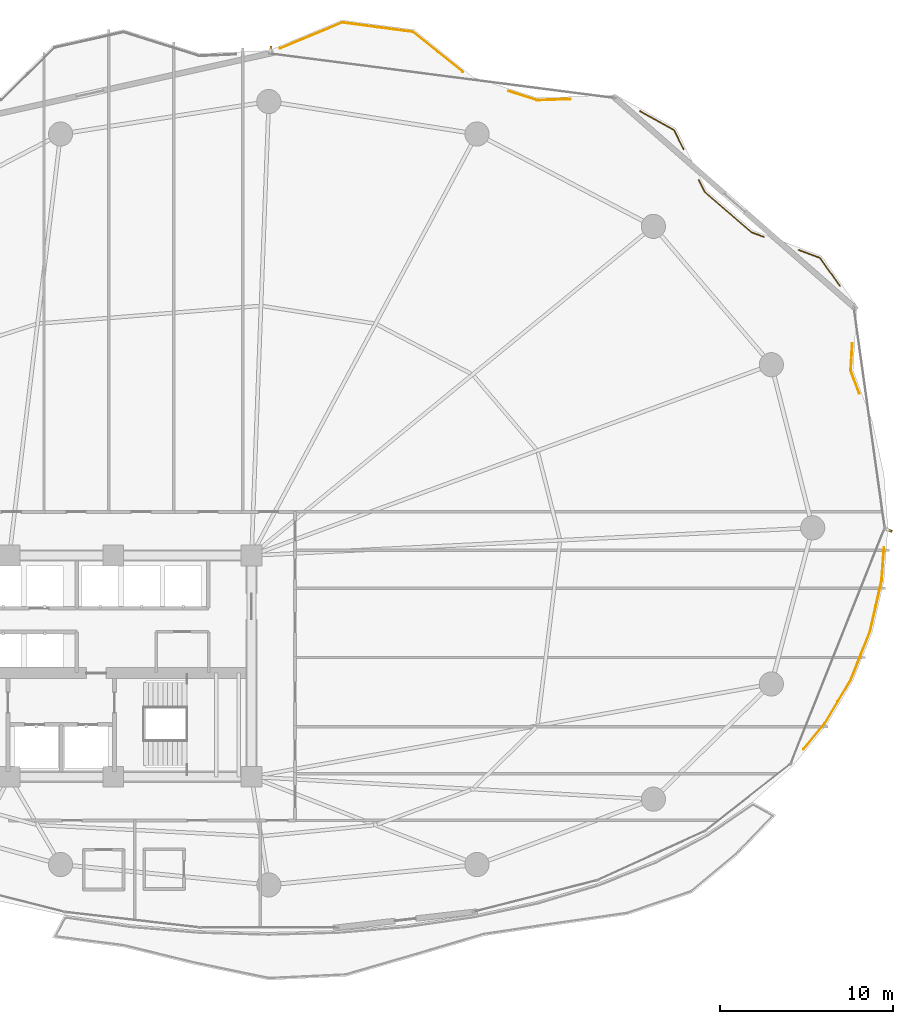
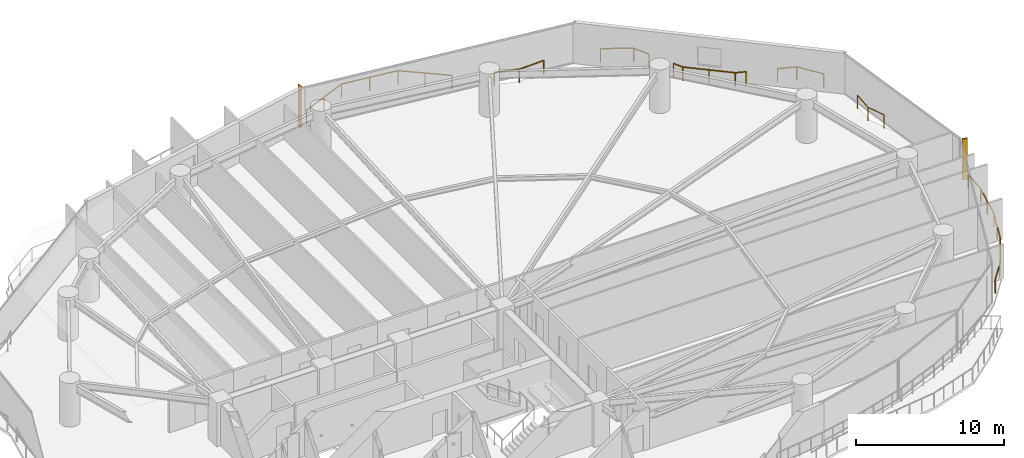
# One storey, part 32 of 32: 7 railings, 2 shading devices.
"""IFC4 building model written with IfcOpenShell, lengths in metres."""

import ifcopenshell
import ifcopenshell.guid

model = None  # the IFC model being written
_history = None  # IfcOwnerHistory: only IFC2X3 demands one
_inside = {}  # id of a spatial element -> (the spatial element, [elements in it])
_under = {}  # id of a project, library or spatial element -> (it, [spatial elements below it])
_declared = {}  # id of a project -> (the project, [libraries it declares])
_typed = {}  # id of a type object -> (the type object, [elements of that type])
_made_of = {}  # id of a material, layer set ... -> (it, [elements and type objects made of it])


def new_model(schema):
    """Start an empty IFC model of exactly this schema.

    Asked for "IFC4X3", IfcOpenShell would pick the latest addendum, in which some entities
    have other attributes; the version numbers below select the first issue.
    IFC2X3 requires an IfcOwnerHistory on every rooted entity: one is made here for all.
    """
    global model, _history
    if schema == "IFC4X3":
        model = ifcopenshell.file(schema_version=(4, 3, 0, 0))
    else:
        model = ifcopenshell.file(schema=schema)
    _inside.clear()
    _under.clear()
    _declared.clear()
    _typed.clear()
    _made_of.clear()
    _history = None
    if model.schema == "IFC2X3":
        org = make("IfcOrganization", Name="unknown")
        user = make(
            "IfcPersonAndOrganization",
            ThePerson=make("IfcPerson", FamilyName="unknown"),
            TheOrganization=org,
        )
        app = make(
            "IfcApplication",
            ApplicationDeveloper=org,
            Version="unknown",
            ApplicationFullName="unknown",
            ApplicationIdentifier="unknown",
        )
        _history = make(
            "IfcOwnerHistory",
            OwningUser=user,
            OwningApplication=app,
            ChangeAction="ADDED",
            CreationDate=0,
        )
    return model


def make(cls, **values):
    """One entity of the class cls with the attributes given. An attribute that is None is left unset."""
    return model.create_entity(
        cls, **{name: value for name, value in values.items() if value is not None}
    )


def rooted(cls, **values):
    """An entity with a GlobalId (a new one), such as an element, a storey or a relation."""
    return make(cls, GlobalId=ifcopenshell.guid.new(), OwnerHistory=_history, **values)


def si_unit(unit_type, name, prefix=None):
    """IfcSIUnit, for example si_unit("LENGTHUNIT", "METRE", prefix="MILLI")."""
    return make("IfcSIUnit", UnitType=unit_type, Prefix=prefix, Name=name)


def assignment(units):
    """IfcUnitAssignment: the units of a project."""
    return None if units is None else make("IfcUnitAssignment", Units=units)


def point(xyz):
    """IfcCartesianPoint."""
    return None if xyz is None else make("IfcCartesianPoint", Coordinates=xyz)


def direction(xyz):
    """IfcDirection."""
    return None if xyz is None else make("IfcDirection", DirectionRatios=xyz)


def frame(location, z_axis=None, x_axis=None):
    """IfcAxis2Placement3D, a coordinate frame: its origin and axes. An axis left out is left unset."""
    return make(
        "IfcAxis2Placement3D",
        Location=point(location),
        Axis=direction(z_axis),
        RefDirection=direction(x_axis),
    )


def frame_2d(location, x_axis=None):
    """IfcAxis2Placement2D, a coordinate frame in the plane: its origin and x axis."""
    return make(
        "IfcAxis2Placement2D", Location=point(location), RefDirection=direction(x_axis)
    )


def origin():
    """The frame at (0, 0, 0) with its axes left unset."""
    return frame((0.0, 0.0, 0.0))


def origin_2d():
    """The frame at (0, 0) in the plane with its x axis left unset."""
    return frame_2d((0.0, 0.0))


def place(relative_to, where):
    """IfcLocalPlacement: puts the frame where relative to a parent placement (None: the world)."""
    return make(
        "IfcLocalPlacement", PlacementRelTo=relative_to, RelativePlacement=where
    )


def context(
    kind, dimensions, precision=None, world=None, true_north=None, identifier=None
):
    """IfcGeometricRepresentationContext, for example the 3D "Model" context."""
    return make(
        "IfcGeometricRepresentationContext",
        ContextIdentifier=identifier,
        ContextType=kind,
        CoordinateSpaceDimension=dimensions,
        Precision=precision,
        WorldCoordinateSystem=world,
        TrueNorth=true_north,
    )


def subcontext(parent, identifier, kind, view, scale=None):
    """IfcGeometricRepresentationSubContext, for example "Body" below "Model"."""
    return make(
        "IfcGeometricRepresentationSubContext",
        ContextIdentifier=identifier,
        ContextType=kind,
        ParentContext=parent,
        TargetScale=scale,
        TargetView=view,
    )


def project(units=None, contexts=None):
    """IfcProject with its units and contexts."""
    return rooted(
        "IfcProject",
        Name="project",
        RepresentationContexts=contexts,
        UnitsInContext=assignment(units),
    )


def spatial(cls, under=None, at=None, **own):
    """A site, building, storey or space (cls), placed at a placement, below another one or the project."""
    s = rooted(cls, ObjectPlacement=at, **own)
    if under is not None:
        _under.setdefault(under.id(), (under, []))[1].append(s)
    return s


def profile(cls, at=None, kind="AREA", **sizes):
    """A parametric profile (cls). Its sizes go by their IFC names, for example OverallWidth=200.0."""
    return make(cls, ProfileType=kind, Position=at, **sizes)


def rectangle(**sizes):
    """IfcRectangleProfileDef."""
    return profile("IfcRectangleProfileDef", **sizes)


def extrude(swept, where, along, depth):
    """IfcExtrudedAreaSolid: the profile swept, set in the frame where, extruded along a direction by depth."""
    return make(
        "IfcExtrudedAreaSolid",
        SweptArea=swept,
        Position=where,
        ExtrudedDirection=direction(along),
        Depth=depth,
    )


def shape(context_of_items, identifier, shape_type, items):
    """IfcShapeRepresentation: the items that make up one representation, for example the "Body"."""
    return make(
        "IfcShapeRepresentation",
        ContextOfItems=context_of_items,
        RepresentationIdentifier=identifier,
        RepresentationType=shape_type,
        Items=items,
    )


def material(Name=None, Category=None):
    """IfcMaterial."""
    return make("IfcMaterial", Name=Name, Category=Category)


def made_of(thing, what):
    """Note that an element or type object is made of a material, layer set ...; save() writes the relation."""
    if what is not None:
        _made_of.setdefault(what.id(), (what, []))[1].append(thing)
    return thing


def type_object(cls, material=None, **own):
    """A type object (cls), such as IfcWallType, which elements share."""
    return made_of(rooted(cls, **own), material)


def element(
    cls,
    number,
    at=None,
    inside=None,
    cuts=None,
    type_object=None,
    material=None,
    context=None,
    identifier="Body",
    shape_type=None,
    held_by="IfcProductDefinitionShape",
    body=None,
    shapes=None,
    **own,
):
    """One element of the class cls, such as IfcWall. Its Tag is "e" and its number.

    at: its placement. inside: the storey or other place that contains it. cuts: it is an
    opening in that element (IfcRelVoidsElement). A single representation is given by context,
    identifier, shape_type and body (its items); several are given by shapes. held_by: the class
    of the entity that holds the representations. save() writes the other relations.
    """
    e = rooted(cls, Tag="e%d" % number, ObjectPlacement=at, **own)
    if body is not None:
        shapes = [shape(context, identifier, shape_type, body)]
    if shapes is not None:
        e.Representation = make(held_by, Representations=shapes)
    if inside is not None:
        _inside.setdefault(inside.id(), (inside, []))[1].append(e)
    if cuts is not None:
        rooted(
            "IfcRelVoidsElement", RelatingBuildingElement=cuts, RelatedOpeningElement=e
        )
    if type_object is not None:
        _typed.setdefault(type_object.id(), (type_object, []))[1].append(e)
    return made_of(e, material)


def aggregate(whole, parts):
    """IfcRelAggregates: a whole, such as a stair, and the parts it consists of."""
    return rooted("IfcRelAggregates", RelatingObject=whole, RelatedObjects=parts)


def save(model, path):
    """Write the relations noted so far, then the file.

    IfcRelAggregates (storeys below a building ...), IfcRelContainedInSpatialStructure (elements
    in a storey), IfcRelDefinesByType, IfcRelAssociatesMaterial and IfcRelDeclares: one each for
    every whole, place, type object, material and project.
    """
    for whole, parts in _under.values():
        aggregate(whole, parts)
    for where, things in _inside.values():
        rooted(
            "IfcRelContainedInSpatialStructure",
            RelatedElements=things,
            RelatingStructure=where,
        )
    for kind, things in _typed.values():
        rooted("IfcRelDefinesByType", RelatedObjects=things, RelatingType=kind)
    for what, things in _made_of.values():
        rooted("IfcRelAssociatesMaterial", RelatedObjects=things, RelatingMaterial=what)
    for by, libraries in _declared.values():
        rooted("IfcRelDeclares", RelatingContext=by, RelatedDefinitions=libraries)
    model.write(path)


model = new_model("IFC4")

# Units and contexts
model_context = context("Model", 3, precision=1e-05, world=origin(), true_north=direction((0.0, 1.0)))
body_context = subcontext(model_context, "Body", "Model", "MODEL_VIEW")
ifc_project = project(units=[si_unit("LENGTHUNIT", "METRE"), si_unit("AREAUNIT", "SQUARE_METRE"), si_unit("VOLUMEUNIT", "CUBIC_METRE"), si_unit("PLANEANGLEUNIT", "RADIAN"), si_unit("MASSUNIT", "GRAM", prefix="KILO")], contexts=[model_context])

# Site, building, storey
site_placement = place(None, origin())
site = spatial("IfcSite", under=ifc_project, at=site_placement, CompositionType="ELEMENT")
building_placement = place(site_placement, origin())
building = spatial("IfcBuilding", under=site, at=building_placement, Name="Kazevale Care Tower and Concert Hall", CompositionType="ELEMENT")
storey_placement = place(building_placement, frame((0.0, 0.0, 34.800048828125)))
storey = spatial("IfcBuildingStorey", under=building, at=storey_placement, Name="L08", CompositionType="ELEMENT", Elevation=34.800048828125)

# Railings
ifc_material_1 = material(Name="Anodised Bronze Aluminium and Laminated Glass", Category="aluminium")
railing_type = type_object("IfcRailingType", Name="Balcony and Terrace Balustrade 1120", PredefinedType="BALUSTRADE", material=ifc_material_1)
railing_1_placement = place(storey_placement, frame((45.662109375, 65.72509765625, 0.0)))
element("IfcRailing", 1, at=railing_1_placement, inside=storey, type_object=railing_type, Name="rail:L08:perim:6", PredefinedType="BALUSTRADE", context=body_context, shape_type="SweptSolid", body=[
    extrude(rectangle(XDim=0.048095703125, YDim=0.048095703125, at=origin_2d()), frame((0.0, 0.0, 1.09619140625), z_axis=(0.922935495633, 0.384954634861, 0.0), x_axis=(-0.384954634861, 0.922935495633, 0.0)), (0.0, 0.0, 1.0), 3.88330078125),
    extrude(rectangle(XDim=0.048095703125, YDim=0.048095703125, at=origin_2d()), frame((3.583984375, 1.494873046875, 1.09619140625), z_axis=(0.991270154013, -0.131846432499, 0.0), x_axis=(0.131846432499, 0.991270154013, 0.0)), (0.0, 0.0, 1.0), 4.133056640625),
    extrude(rectangle(XDim=0.048095703125, YDim=0.048095703125, at=origin_2d()), frame((7.680908203125, 0.949951171875, 1.09619140625), z_axis=(0.778836557987, -0.627226925397, 0.0), x_axis=(0.627226925397, 0.778836557987, 0.0)), (0.0, 0.0, 1.0), 3.687744140625),
    extrude(rectangle(XDim=0.0419921875, YDim=0.0419921875, at=origin_2d()), origin(), (0.0, 0.0, 1.0), 1.072021484375),
    extrude(rectangle(XDim=0.0419921875, YDim=0.0419921875, at=origin_2d()), frame((1.7919921875, 0.74755859375, 0.0)), (0.0, 0.0, 1.0), 1.072021484375),
    extrude(rectangle(XDim=0.0419921875, YDim=0.0419921875, at=origin_2d()), frame((3.583984375, 1.494873046875, 0.0)), (0.0, 0.0, 1.0), 1.072021484375),
    extrude(rectangle(XDim=0.0419921875, YDim=0.0419921875, at=origin_2d()), frame((5.63232421875, 1.222412109375, 0.0)), (0.0, 0.0, 1.0), 1.072021484375),
    extrude(rectangle(XDim=0.0419921875, YDim=0.0419921875, at=origin_2d()), frame((7.680908203125, 0.949951171875, 0.0)), (0.0, 0.0, 1.0), 1.072021484375),
    extrude(rectangle(XDim=0.0419921875, YDim=0.0419921875, at=origin_2d()), frame((9.116943359375, -0.20654296875, 0.0)), (0.0, 0.0, 1.0), 1.072021484375),
    extrude(rectangle(XDim=0.0419921875, YDim=0.0419921875, at=origin_2d()), frame((10.552978515625, -1.363037109375, 0.0)), (0.0, 0.0, 1.0), 1.072021484375),
])
railing_2_placement = place(storey_placement, frame((58.860107421875, 63.25390625, 0.0)))
element("IfcRailing", 2, at=railing_2_placement, inside=storey, type_object=railing_type, Name="rail:L08:perim:7", PredefinedType="BALUSTRADE", context=body_context, shape_type="SweptSolid", body=[
    extrude(rectangle(XDim=0.048095703125, YDim=0.048095703125, at=origin_2d()), frame((0.0, 0.0, 1.09619140625), z_axis=(0.952655744415, -0.304051036231, 0.0), x_axis=(0.304051036231, 0.952655744415, 0.0)), (0.0, 0.0, 1.0), 1.736083984375),
    extrude(rectangle(XDim=0.048095703125, YDim=0.048095703125, at=origin_2d()), frame((1.65380859375, -0.52783203125, 1.09619140625), z_axis=(0.999433903687, 0.033643307818, 0.0), x_axis=(-0.033643307818, 0.999433903687, 0.0)), (0.0, 0.0, 1.0), 1.93017578125),
    extrude(rectangle(XDim=0.0419921875, YDim=0.0419921875, at=origin_2d()), origin(), (0.0, 0.0, 1.0), 1.072021484375),
    extrude(rectangle(XDim=0.0419921875, YDim=0.0419921875, at=origin_2d()), frame((1.65380859375, -0.52783203125, 0.0)), (0.0, 0.0, 1.0), 1.072021484375),
    extrude(rectangle(XDim=0.0419921875, YDim=0.0419921875, at=origin_2d()), frame((3.5830078125, -0.462890625, 0.0)), (0.0, 0.0, 1.0), 1.072021484375),
])
railing_3_placement = place(storey_placement, frame((66.472900390625, 62.089111328125, 0.0)))
element("IfcRailing", 3, at=railing_3_placement, inside=storey, type_object=railing_type, Name="rail:L08:perim:8", PredefinedType="BALUSTRADE", context=body_context, shape_type="SweptSolid", body=[
    extrude(rectangle(XDim=0.048095703125, YDim=0.048095703125, at=origin_2d()), frame((0.0, 0.0, 1.09619140625), z_axis=(0.874275517838, -0.485430035029, 0.0), x_axis=(0.485430035029, 0.874275517838, 0.0)), (0.0, 0.0, 1.0), 2.239501953125),
    extrude(rectangle(XDim=0.048095703125, YDim=0.048095703125, at=origin_2d()), frame((1.9580078125, -1.087158203125, 1.09619140625), z_axis=(0.444046102308, -0.896003939179, 0.0), x_axis=(0.896003939179, 0.444046102308, 0.0)), (0.0, 0.0, 1.0), 1.234375),
    extrude(rectangle(XDim=0.0419921875, YDim=0.0419921875, at=origin_2d()), origin(), (0.0, 0.0, 1.0), 1.072021484375),
    extrude(rectangle(XDim=0.0419921875, YDim=0.0419921875, at=origin_2d()), frame((1.9580078125, -1.087158203125, 0.0)), (0.0, 0.0, 1.0), 1.072021484375),
    extrude(rectangle(XDim=0.0419921875, YDim=0.0419921875, at=origin_2d()), frame((2.506103515625, -2.193115234375, 0.0)), (0.0, 0.0, 1.0), 1.072021484375),
])
railing_4_placement = place(storey_placement, frame((69.863037109375, 58.112060546875, 0.0)))
element("IfcRailing", 4, at=railing_4_placement, inside=storey, type_object=railing_type, Name="rail:L08:perim:9", PredefinedType="BALUSTRADE", context=body_context, shape_type="SweptSolid", body=[
    extrude(rectangle(XDim=0.048095703125, YDim=0.048095703125, at=origin_2d()), frame((0.0, 0.0, 1.09619140625), z_axis=(0.444393893797, -0.895831494845, 0.0), x_axis=(0.895831494845, 0.444393893797, 0.0)), (0.0, 0.0, 1.0), 0.762451171875),
    extrude(rectangle(XDim=0.048095703125, YDim=0.048095703125, at=origin_2d()), frame((0.3388671875, -0.68310546875, 1.09619140625), z_axis=(0.75707551803, -0.653327375823, 0.0), x_axis=(0.653327375823, 0.75707551803, 0.0)), (0.0, 0.0, 1.0), 3.586181640625),
    extrude(rectangle(XDim=0.048095703125, YDim=0.048095703125, at=origin_2d()), frame((3.053955078125, -3.026123046875, 1.09619140625), z_axis=(0.936649557244, -0.350267907344, 0.0), x_axis=(0.350267907344, 0.936649557244, 0.0)), (0.0, 0.0, 1.0), 0.750732421875),
    extrude(rectangle(XDim=0.0419921875, YDim=0.0419921875, at=origin_2d()), origin(), (0.0, 0.0, 1.0), 1.072021484375),
    extrude(rectangle(XDim=0.0419921875, YDim=0.0419921875, at=origin_2d()), frame((0.3388671875, -0.68310546875, 0.0)), (0.0, 0.0, 1.0), 1.072021484375),
    extrude(rectangle(XDim=0.0419921875, YDim=0.0419921875, at=origin_2d()), frame((1.6962890625, -1.8544921875, 0.0)), (0.0, 0.0, 1.0), 1.072021484375),
    extrude(rectangle(XDim=0.0419921875, YDim=0.0419921875, at=origin_2d()), frame((3.053955078125, -3.026123046875, 0.0)), (0.0, 0.0, 1.0), 1.072021484375),
    extrude(rectangle(XDim=0.0419921875, YDim=0.0419921875, at=origin_2d()), frame((3.757080078125, -3.2890625, 0.0)), (0.0, 0.0, 1.0), 1.072021484375),
])
railing_5_placement = place(storey_placement, frame((75.635009765625, 54.069091796875, 0.0)))
element("IfcRailing", 5, at=railing_5_placement, inside=storey, type_object=railing_type, Name="rail:L08:perim:10", PredefinedType="BALUSTRADE", context=body_context, shape_type="SweptSolid", body=[
    extrude(rectangle(XDim=0.048095703125, YDim=0.048095703125, at=origin_2d()), frame((0.0, 0.0, 1.09619140625), z_axis=(0.936458028314, -0.35077964765, 0.0), x_axis=(0.35077964765, 0.936458028314, 0.0)), (0.0, 0.0, 1.0), 1.322998046875),
    extrude(rectangle(XDim=0.048095703125, YDim=0.048095703125, at=origin_2d()), frame((1.239013671875, -0.464111328125, 1.09619140625), z_axis=(0.576750616528, -0.816920269264, 0.0), x_axis=(0.816920269264, 0.576750616528, 0.0)), (0.0, 0.0, 1.0), 1.990478515625),
    extrude(rectangle(XDim=0.0419921875, YDim=0.0419921875, at=origin_2d()), origin(), (0.0, 0.0, 1.0), 1.072021484375),
    extrude(rectangle(XDim=0.0419921875, YDim=0.0419921875, at=origin_2d()), frame((1.239013671875, -0.464111328125, 0.0)), (0.0, 0.0, 1.0), 1.072021484375),
    extrude(rectangle(XDim=0.0419921875, YDim=0.0419921875, at=origin_2d()), frame((2.386962890625, -2.090087890625, 0.0)), (0.0, 0.0, 1.0), 1.072021484375),
])
railing_6_placement = place(storey_placement, frame((80.575927734375, 36.864990234375, 0.0)))
element("IfcRailing", 6, at=railing_6_placement, inside=storey, type_object=railing_type, Name="rail:L08:perim:11", PredefinedType="BALUSTRADE", context=body_context, shape_type="SweptSolid", body=[
    extrude(rectangle(XDim=0.048095703125, YDim=0.048095703125, at=origin_2d()), frame((0.0, 0.0, 1.09619140625), z_axis=(-0.072929321708, -0.99733711153, 0.0), x_axis=(0.99733711153, -0.072929321708, 0.0)), (0.0, 0.0, 1.0), 1.918212890625),
    extrude(rectangle(XDim=0.048095703125, YDim=0.048095703125, at=origin_2d()), frame((-0.139892578125, -1.9130859375, 1.09619140625), z_axis=(-0.22169815306, -0.975115341347, 0.0), x_axis=(0.975115341347, -0.22169815306, 0.0)), (0.0, 0.0, 1.0), 3.012939453125),
    extrude(rectangle(XDim=0.048095703125, YDim=0.048095703125, at=origin_2d()), frame((-0.807861328125, -4.85107421875, 1.09619140625), z_axis=(-0.369500413357, -0.92923056586, 0.0), x_axis=(0.92923056586, -0.369500413357, 0.0)), (0.0, 0.0, 1.0), 2.985107421875),
    extrude(rectangle(XDim=0.048095703125, YDim=0.048095703125, at=origin_2d()), frame((-1.910888671875, -7.625, 1.09619140625), z_axis=(-0.510655847211, -0.859785209055, 0.0), x_axis=(0.859785209055, -0.510655847211, 0.0)), (0.0, 0.0, 1.0), 2.986572265625),
    extrude(rectangle(XDim=0.048095703125, YDim=0.048095703125, at=origin_2d()), frame((-3.43603515625, -10.19287109375, 1.09619140625), z_axis=(-0.636478085384, -0.771294785945, 0.0), x_axis=(0.771294785945, -0.636478085384, 0.0)), (0.0, 0.0, 1.0), 1.90869140625),
    extrude(rectangle(XDim=0.0419921875, YDim=0.0419921875, at=origin_2d()), origin(), (0.0, 0.0, 1.0), 1.072021484375),
    extrude(rectangle(XDim=0.0419921875, YDim=0.0419921875, at=origin_2d()), frame((-0.139892578125, -1.9130859375, 0.0)), (0.0, 0.0, 1.0), 1.072021484375),
    extrude(rectangle(XDim=0.0419921875, YDim=0.0419921875, at=origin_2d()), frame((-0.473876953125, -3.382080078125, 0.0)), (0.0, 0.0, 1.0), 1.072021484375),
    extrude(rectangle(XDim=0.0419921875, YDim=0.0419921875, at=origin_2d()), frame((-0.807861328125, -4.85107421875, 0.0)), (0.0, 0.0, 1.0), 1.072021484375),
    extrude(rectangle(XDim=0.0419921875, YDim=0.0419921875, at=origin_2d()), frame((-1.359375, -6.238037109375, 0.0)), (0.0, 0.0, 1.0), 1.072021484375),
    extrude(rectangle(XDim=0.0419921875, YDim=0.0419921875, at=origin_2d()), frame((-1.910888671875, -7.625, 0.0)), (0.0, 0.0, 1.0), 1.072021484375),
    extrude(rectangle(XDim=0.0419921875, YDim=0.0419921875, at=origin_2d()), frame((-2.67333984375, -8.908935546875, 0.0)), (0.0, 0.0, 1.0), 1.072021484375),
    extrude(rectangle(XDim=0.0419921875, YDim=0.0419921875, at=origin_2d()), frame((-3.43603515625, -10.19287109375, 0.0)), (0.0, 0.0, 1.0), 1.072021484375),
    extrude(rectangle(XDim=0.0419921875, YDim=0.0419921875, at=origin_2d()), frame((-4.65087890625, -11.6650390625, 0.0)), (0.0, 0.0, 1.0), 1.072021484375),
])
railing_7_placement = place(storey_placement, frame((78.741943359375, 48.64794921875, 0.0)))
element("IfcRailing", 7, at=railing_7_placement, inside=storey, type_object=railing_type, Name="rail:L08:perim:12", PredefinedType="BALUSTRADE", context=body_context, shape_type="SweptSolid", body=[
    extrude(rectangle(XDim=0.048095703125, YDim=0.048095703125, at=origin_2d()), frame((0.0, 0.0, 1.09619140625), z_axis=(-0.059751650803, -0.998213273918, 0.0), x_axis=(0.998213273918, -0.059751650803, 0.0)), (0.0, 0.0, 1.0), 1.556640625),
    extrude(rectangle(XDim=0.048095703125, YDim=0.048095703125, at=origin_2d()), frame((-0.093017578125, -1.553955078125, 1.09619140625), z_axis=(0.350671286185, -0.936498611342, 0.0), x_axis=(0.936498611342, 0.350671286185, 0.0)), (0.0, 0.0, 1.0), 1.420166015625),
    extrude(rectangle(XDim=0.0419921875, YDim=0.0419921875, at=origin_2d()), origin(), (0.0, 0.0, 1.0), 1.072021484375),
    extrude(rectangle(XDim=0.0419921875, YDim=0.0419921875, at=origin_2d()), frame((-0.093017578125, -1.553955078125, 0.0)), (0.0, 0.0, 1.0), 1.072021484375),
    extrude(rectangle(XDim=0.0419921875, YDim=0.0419921875, at=origin_2d()), frame((0.405029296875, -2.884033203125, 0.0)), (0.0, 0.0, 1.0), 1.072021484375),
])

# Shading devices
ifc_material_2 = material(Name="Honed Ochre Limestone", Category="masonry")
shading_device_type = type_object("IfcShadingDeviceType", Name="Vertical Honed Limestone Fin FIN-01", PredefinedType="USERDEFINED", material=ifc_material_2)
for number, where, z_axis, x_axis, name in (
    (8, (80.861572265625, 37.860595703125, 0.0), (0.0, 0.0, 1.0), (0.928874213199, -0.370395324019, 0.0), "cw:L08:f01:fin"),
    (9, (45.110595703125, 65.676025390625, 0.0), (0.0, 0.0, 1.0), (0.128103248172, 0.991760837, 0.0), "cw:L08:f16:fin"),
):
    element("IfcShadingDevice", number, at=place(storey_placement, frame(where, z_axis=z_axis, x_axis=x_axis)), inside=storey, type_object=shading_device_type, Name=name, ObjectType="FIN", PredefinedType="USERDEFINED", context=body_context, shape_type="SweptSolid", body=[
        extrude(rectangle(XDim=0.3798828125, YDim=0.1201171875, at=origin_2d()), origin(), (0.0, 0.0, 1.0), 3.360107421875),
    ])

save(model, "model.ifc")
